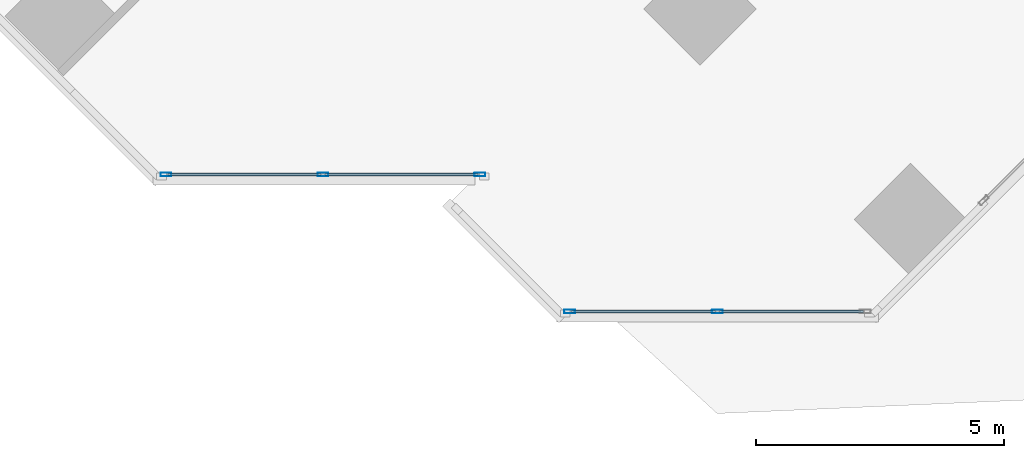
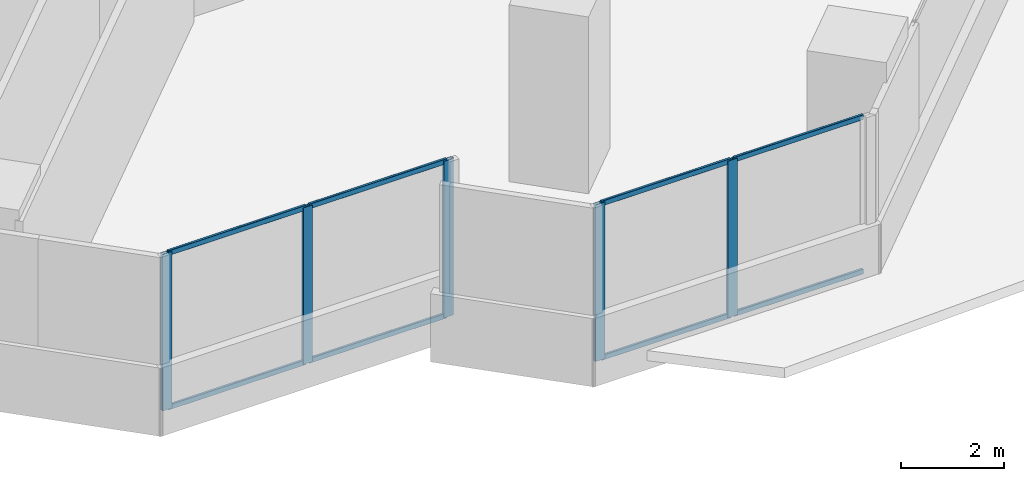
# One storey, part 3 of 17: 13 members, 2 elements without a shape of their own.
"""IFC4 building model written with IfcOpenShell, lengths in metres."""

from ifc_helpers import new_model, si_unit, direction, frame, origin, origin_2d, place, context, subcontext, project, spatial, hollow_rectangle, extrude, source, transform, mapped, material, material_profile, profile_set, type_object, element, aggregate, save


model = new_model("IFC4")

# Units and contexts
model_context = context("Model", 3, precision=1e-05, world=origin(), true_north=direction((0.0, 1.0)))
body_context = subcontext(model_context, "Body", "Model", "MODEL_VIEW")
ifc_project = project(units=[si_unit("LENGTHUNIT", "METRE"), si_unit("AREAUNIT", "SQUARE_METRE"), si_unit("VOLUMEUNIT", "CUBIC_METRE"), si_unit("PLANEANGLEUNIT", "RADIAN"), si_unit("MASSUNIT", "GRAM", prefix="KILO")], contexts=[model_context])

# Site, building, storey
site_placement = place(None, origin())
site = spatial("IfcSite", under=ifc_project, at=site_placement, CompositionType="ELEMENT")
building_placement = place(site_placement, origin())
building = spatial("IfcBuilding", under=site, at=building_placement, Name="Torre Montelarca", CompositionType="ELEMENT")
storey_placement = place(building_placement, frame((0.0, 0.0, 241.60009765625)))
storey = spatial("IfcBuildingStorey", under=building, at=storey_placement, Name="L54", CompositionType="ELEMENT", Elevation=241.60009765625)

# Curtain wall, members
ifc_material_1 = material(Name="Insulated low-E laminated glass", Category="glass")
curtain_wall_type = type_object("IfcCurtainWallType", Name="CW-SYS-Z3", PredefinedType="USERDEFINED", material=ifc_material_1)
curtain_wall_1_placement = place(storey_placement, origin())
curtain_wall_1 = element("IfcCurtainWall", 1, at=curtain_wall_1_placement, inside=storey, type_object=curtain_wall_type, Name="L54 Curtain Wall Run CW-T3-L54-E02-B1", ObjectType="UNITISED GLAZING", PredefinedType="USERDEFINED")
ifc_material_2 = material(Name="Anodised aluminium AA 6063-T6", Category="aluminium")
ifc_material_profile_1 = material_profile(ifc_material_2, hollow_rectangle(XDim=0.054931640625, YDim=0.1201171875, WallThickness=0.00341796875, InnerFilletRadius=0.00341796875, OuterFilletRadius=0.007080078125, at=origin_2d()), Name="ALU55X120X3.5", Category="aluminium")
ifc_profile_set_1 = profile_set([ifc_material_profile_1], Name="Anodised aluminium AA 6063-T6")
member_type_1 = type_object("IfcMemberType", Name="CWT-ALU120", PredefinedType="USERDEFINED", material=ifc_profile_set_1)
shared_shape_1 = source(origin(), body_context, "Body", "SweptSolid", [
    extrude(hollow_rectangle(XDim=0.054931640625, YDim=0.1201171875, WallThickness=0.00341796875, InnerFilletRadius=0.00341796875, OuterFilletRadius=0.007080078125, at=origin_2d()), origin(), (0.0, 0.0, 1.0), 3.08740234375),
])
member_1_placement = place(storey_placement, frame((18.539306640625, 12.75537109375, 0.02734375), z_axis=(1.0, 0.0, 0.0), x_axis=(0.0, 1.0, 0.0)))
member_1 = element("IfcMember", 2, at=member_1_placement, type_object=member_type_1, Name="CW transom 2.1", ObjectType="TRANSOM", PredefinedType="USERDEFINED", context=body_context, shape_type="MappedRepresentation", body=[
    mapped(shared_shape_1, transform((0.0, 0.0, 0.0), scale=1.0)),
])
member_2_placement = place(storey_placement, frame((18.539306640625, 12.75537109375, 3.6923828125), z_axis=(1.0, 0.0, 0.0), x_axis=(0.0, 1.0, 0.0)))
member_2 = element("IfcMember", 3, at=member_2_placement, type_object=member_type_1, Name="CW transom 2.2", ObjectType="TRANSOM", PredefinedType="USERDEFINED", context=body_context, shape_type="MappedRepresentation", body=[
    mapped(shared_shape_1, transform((0.0, 0.0, 0.0), scale=1.0)),
])

curtain_wall_2_placement = place(storey_placement, origin())
curtain_wall_2 = element("IfcCurtainWall", 4, at=curtain_wall_2_placement, inside=storey, type_object=curtain_wall_type, Name="L54 Curtain Wall Run CW-T3-L54-E05-B1", ObjectType="UNITISED GLAZING", PredefinedType="USERDEFINED")
shared_shape_2 = source(origin(), body_context, "Body", "SweptSolid", [
    extrude(hollow_rectangle(XDim=0.054931640625, YDim=0.1201171875, WallThickness=0.00341796875, InnerFilletRadius=0.00341796875, OuterFilletRadius=0.007080078125, at=origin_2d()), origin(), (0.0, 0.0, 1.0), 2.903564453125),
])
member_3_placement = place(storey_placement, frame((26.4873046875, 9.99755859375, 0.02734375), z_axis=(1.0, 0.0, 0.0), x_axis=(0.0, 1.0, 0.0)))
member_3 = element("IfcMember", 5, at=member_3_placement, type_object=member_type_1, Name="CW transom 2.1", ObjectType="TRANSOM", PredefinedType="USERDEFINED", context=body_context, shape_type="MappedRepresentation", body=[
    mapped(shared_shape_2, transform((0.0, 0.0, 0.0), scale=1.0)),
])
member_4_placement = place(storey_placement, frame((26.4873046875, 9.99755859375, 3.6923828125), z_axis=(1.0, 0.0, 0.0), x_axis=(0.0, 1.0, 0.0)))
member_4 = element("IfcMember", 6, at=member_4_placement, type_object=member_type_1, Name="CW transom 2.2", ObjectType="TRANSOM", PredefinedType="USERDEFINED", context=body_context, shape_type="MappedRepresentation", body=[
    mapped(shared_shape_2, transform((0.0, 0.0, 0.0), scale=1.0)),
])

# Member
ifc_material_profile_2 = material_profile(ifc_material_2, hollow_rectangle(XDim=0.074951171875, YDim=0.219970703125, WallThickness=0.0048828125, InnerFilletRadius=0.0048828125, OuterFilletRadius=0.010009765625, at=origin_2d()), Name="ALU75X220X5", Category="aluminium")
ifc_profile_set_2 = profile_set([ifc_material_profile_2], Name="Anodised aluminium AA 6063-T6")
member_type_2 = type_object("IfcMemberType", Name="CWM-ALU220", PredefinedType="MULLION", material=ifc_profile_set_2)
shared_shape_3 = source(origin(), body_context, "Body", "SweptSolid", [
    extrude(hollow_rectangle(XDim=0.074951171875, YDim=0.219970703125, WallThickness=0.0048828125, InnerFilletRadius=0.0048828125, OuterFilletRadius=0.010009765625, at=origin_2d()), origin(), (0.0, 0.0, 1.0), 3.719970703125),
])
member_5_placement = place(storey_placement, frame((15.33935546875, 12.75537109375, 0.0), z_axis=(0.0, 0.0, 1.0), x_axis=(0.0, 1.0, 0.0)))
member_5 = element("IfcMember", 7, at=member_5_placement, type_object=member_type_2, Name="CW mullion 1", PredefinedType="MULLION", context=body_context, shape_type="MappedRepresentation", body=[
    mapped(shared_shape_3, transform((0.0, 0.0, 0.0), scale=1.0)),
])

member_6_placement = place(storey_placement, frame((18.501708984375, 12.75537109375, 0.0), z_axis=(0.0, 0.0, 1.0), x_axis=(0.0, 1.0, 0.0)))
member_6 = element("IfcMember", 8, at=member_6_placement, type_object=member_type_2, Name="CW mullion 2", PredefinedType="MULLION", context=body_context, shape_type="MappedRepresentation", body=[
    mapped(shared_shape_3, transform((0.0, 0.0, 0.0), scale=1.0)),
])

member_7_placement = place(storey_placement, frame((21.664306640625, 12.75537109375, 0.0), z_axis=(0.0, 0.0, 1.0), x_axis=(0.0, 1.0, 0.0)))
member_7 = element("IfcMember", 9, at=member_7_placement, type_object=member_type_2, Name="CW mullion 3", PredefinedType="MULLION", context=body_context, shape_type="MappedRepresentation", body=[
    mapped(shared_shape_3, transform((0.0, 0.0, 0.0), scale=1.0)),
])

member_8_placement = place(storey_placement, frame((23.47119140625, 9.99755859375, 0.0), z_axis=(0.0, 0.0, 1.0), x_axis=(0.0, 1.0, 0.0)))
member_8 = element("IfcMember", 10, at=member_8_placement, type_object=member_type_2, Name="CW mullion 1", PredefinedType="MULLION", context=body_context, shape_type="MappedRepresentation", body=[
    mapped(shared_shape_3, transform((0.0, 0.0, 0.0), scale=1.0)),
])

member_9_placement = place(storey_placement, frame((26.44970703125, 9.99755859375, 0.0), z_axis=(0.0, 0.0, 1.0), x_axis=(0.0, 1.0, 0.0)))
member_9 = element("IfcMember", 11, at=member_9_placement, type_object=member_type_2, Name="CW mullion 2", PredefinedType="MULLION", context=body_context, shape_type="MappedRepresentation", body=[
    mapped(shared_shape_3, transform((0.0, 0.0, 0.0), scale=1.0)),
])

shared_shape_4 = source(origin(), body_context, "Body", "SweptSolid", [
    extrude(hollow_rectangle(XDim=0.054931640625, YDim=0.1201171875, WallThickness=0.00341796875, InnerFilletRadius=0.00341796875, OuterFilletRadius=0.007080078125, at=origin_2d()), origin(), (0.0, 0.0, 1.0), 3.087646484375),
])
member_10_placement = place(storey_placement, frame((15.376708984375, 12.75537109375, 0.02734375), z_axis=(1.0, 0.0, 0.0), x_axis=(0.0, 1.0, 0.0)))
member_10 = element("IfcMember", 12, at=member_10_placement, type_object=member_type_1, Name="CW transom 1.1", ObjectType="TRANSOM", PredefinedType="USERDEFINED", context=body_context, shape_type="MappedRepresentation", body=[
    mapped(shared_shape_4, transform((0.0, 0.0, 0.0), scale=1.0)),
])

member_11_placement = place(storey_placement, frame((15.376708984375, 12.75537109375, 3.6923828125), z_axis=(1.0, 0.0, 0.0), x_axis=(0.0, 1.0, 0.0)))
member_11 = element("IfcMember", 13, at=member_11_placement, type_object=member_type_1, Name="CW transom 1.2", ObjectType="TRANSOM", PredefinedType="USERDEFINED", context=body_context, shape_type="MappedRepresentation", body=[
    mapped(shared_shape_4, transform((0.0, 0.0, 0.0), scale=1.0)),
])

aggregate(curtain_wall_1, [member_5, member_6, member_7, member_10, member_11, member_1, member_2])

shared_shape_5 = source(origin(), body_context, "Body", "SweptSolid", [
    extrude(hollow_rectangle(XDim=0.054931640625, YDim=0.1201171875, WallThickness=0.00341796875, InnerFilletRadius=0.00341796875, OuterFilletRadius=0.007080078125, at=origin_2d()), origin(), (0.0, 0.0, 1.0), 2.90380859375),
])
member_12_placement = place(storey_placement, frame((23.508544921875, 9.99755859375, 0.02734375), z_axis=(1.0, 0.0, 0.0), x_axis=(0.0, 1.0, 0.0)))
member_12 = element("IfcMember", 14, at=member_12_placement, type_object=member_type_1, Name="CW transom 1.1", ObjectType="TRANSOM", PredefinedType="USERDEFINED", context=body_context, shape_type="MappedRepresentation", body=[
    mapped(shared_shape_5, transform((0.0, 0.0, 0.0), scale=1.0)),
])

member_13_placement = place(storey_placement, frame((23.508544921875, 9.99755859375, 3.6923828125), z_axis=(1.0, 0.0, 0.0), x_axis=(0.0, 1.0, 0.0)))
member_13 = element("IfcMember", 15, at=member_13_placement, type_object=member_type_1, Name="CW transom 1.2", ObjectType="TRANSOM", PredefinedType="USERDEFINED", context=body_context, shape_type="MappedRepresentation", body=[
    mapped(shared_shape_5, transform((0.0, 0.0, 0.0), scale=1.0)),
])

aggregate(curtain_wall_2, [member_8, member_9, member_12, member_13, member_3, member_4])

save(model, "model.ifc")
